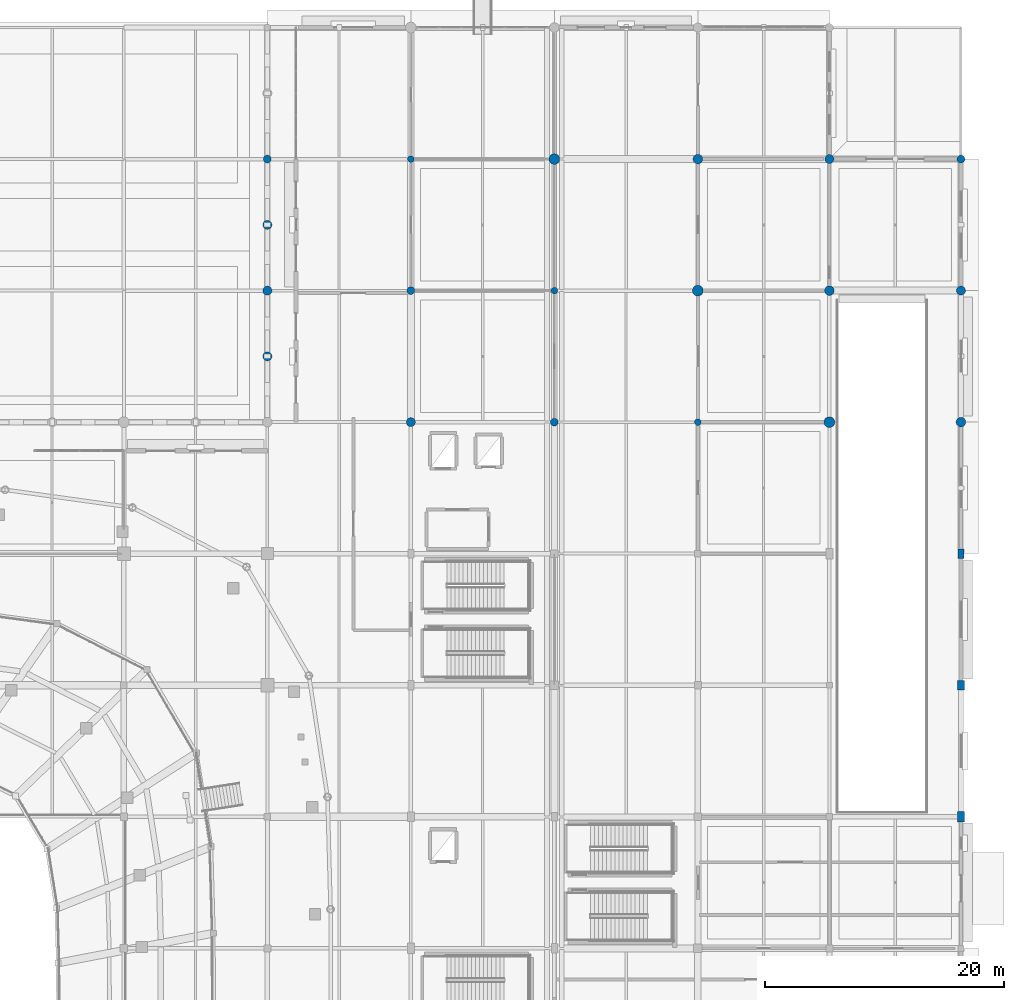
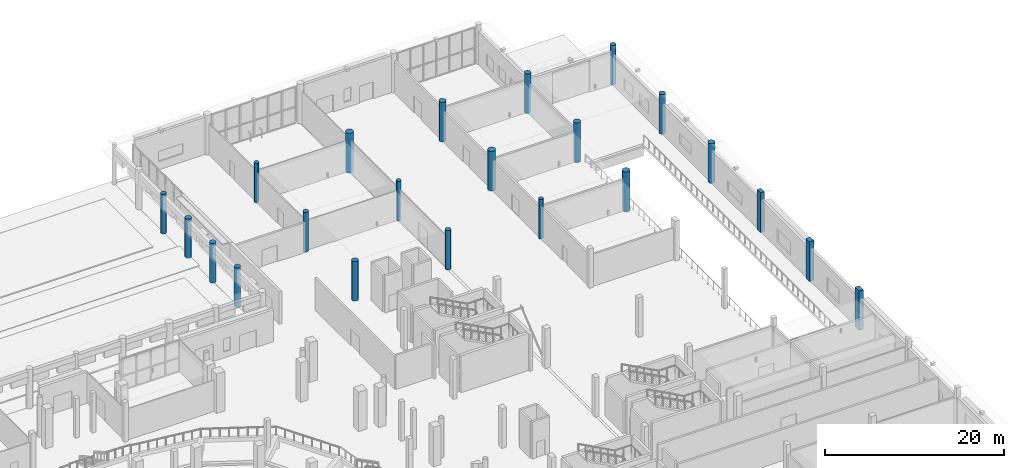
# One storey, part 14 of 120: 22 columns.
"""IFC4 building model written with IfcOpenShell, lengths in metres."""

from ifc_helpers import new_model, si_unit, direction, frame, origin, origin_2d, place, context, subcontext, project, spatial, rectangle, circle, extrude, material, material_profile, profile_set, type_object, element, save


model = new_model("IFC4")

# Units and contexts
model_context = context("Model", 3, precision=1e-05, world=origin(), true_north=direction((0.0, 1.0)))
body_context = subcontext(model_context, "Body", "Model", "MODEL_VIEW")
ifc_project = project(units=[si_unit("LENGTHUNIT", "METRE"), si_unit("AREAUNIT", "SQUARE_METRE"), si_unit("VOLUMEUNIT", "CUBIC_METRE"), si_unit("PLANEANGLEUNIT", "RADIAN"), si_unit("MASSUNIT", "GRAM", prefix="KILO")], contexts=[model_context])

# Site, building, storey
site_placement = place(None, origin())
site = spatial("IfcSite", under=ifc_project, at=site_placement, CompositionType="ELEMENT")
building_placement = place(site_placement, origin())
building = spatial("IfcBuilding", under=site, at=building_placement, Name="Luwafu Chhajja Arena", CompositionType="ELEMENT")
storey_placement = place(building_placement, origin())
storey = spatial("IfcBuildingStorey", under=building, at=storey_placement, Name="L00", CompositionType="ELEMENT", Elevation=0.0)

# Columns
ifc_material_1 = material(Name="Concrete C35/45", Category="concrete")
ifc_material_profile_1 = material_profile(ifc_material_1, rectangle(XDim=0.5, YDim=0.800048828125, at=origin_2d()), Name="RC 500x800")
ifc_profile_set_1 = profile_set([ifc_material_profile_1], Name="Concrete C35/45")
column_type_1 = type_object("IfcColumnType", Name="BOH Frame Column RC 500x800", PredefinedType="COLUMN", material=ifc_profile_set_1)
column_1_placement = place(storey_placement, frame((198.0, 88.0, 0.0), z_axis=(0.0, 0.0, 1.0), x_axis=(1.0, 0.0, 0.0)))
element("IfcColumn", 1, at=column_1_placement, inside=storey, type_object=column_type_1, Name="L00 Grid Column 18/J", PredefinedType="COLUMN", context=body_context, shape_type="SweptSolid", body=[
    extrude(rectangle(XDim=0.5, YDim=0.800048828125, at=origin_2d()), origin(), (0.0, 0.0, 1.0), 5.39990234375),
])
ifc_material_profile_2 = material_profile(ifc_material_1, circle(Radius=0.375, at=origin_2d()), Name="RC COL D750")
ifc_profile_set_2 = profile_set([ifc_material_profile_2], Name="Concrete C35/45")
column_type_2 = type_object("IfcColumnType", Name="Charbagh Cloister Pier D750", PredefinedType="COLUMN", material=ifc_profile_set_2)
for number, where, z_axis, x_axis, name in (
    (2, (140.0, 110.0, 0.0), (0.0, 0.0, 1.0), (1.0, 0.0, 0.0), "L00 Grid Column 13/L"),
    (3, (152.0, 99.0, 0.0), (0.0, 0.0, 1.0), (1.0, 0.0, 0.0), "L00 Grid Column 14/K"),
    (4, (187.0, 121.0, 0.0), (0.0, 0.0, 1.0), (1.0, 0.0, 0.0), "L00 Grid Column 17/M"),
    (5, (198.0, 110.0, 0.0), (0.0, 0.0, 1.0), (1.0, 0.0, 0.0), "L00 Grid Column 18/L"),
    (6, (140.0, 104.5, 0.0), (0.0, 0.0, 1.0), (1.0, 0.0, 0.0), "L00 Mughal Riwaq Colonnade Pier CHE09"),
    (7, (140.0, 115.5, 0.0), (0.0, 0.0, 1.0), (1.0, 0.0, 0.0), "L00 Mughal Riwaq Colonnade Pier CHE10"),
):
    element("IfcColumn", number, at=place(storey_placement, frame(where, z_axis=z_axis, x_axis=x_axis)), inside=storey, type_object=column_type_2, Name=name, PredefinedType="COLUMN", context=body_context, shape_type="SweptSolid", body=[
        extrude(circle(Radius=0.375, at=origin_2d()), origin(), (0.0, 0.0, 1.0), 5.39990234375),
    ])
ifc_material_profile_3 = material_profile(ifc_material_1, circle(Radius=0.324951171875, at=origin_2d()), Name="RC COL D650")
ifc_profile_set_3 = profile_set([ifc_material_profile_3], Name="Concrete C35/45")
column_type_3 = type_object("IfcColumnType", Name="Courtyard Arcade Pier D650", PredefinedType="COLUMN", material=ifc_profile_set_3)
for number, where, z_axis, x_axis, name in (
    (8, (140.0, 121.0, 0.0), (0.0, 0.0, 1.0), (1.0, 0.0, 0.0), "L00 Grid Column 13/M"),
    (9, (152.0, 110.0, 0.0), (0.0, 0.0, 1.0), (1.0, 0.0, 0.0), "L00 Grid Column 14/L"),
    (10, (164.0, 99.0, 0.0), (0.0, 0.0, 1.0), (1.0, 0.0, 0.0), "L00 Grid Column 15/K"),
    (11, (198.0, 121.0, 0.0), (0.0, 0.0, 1.0), (1.0, 0.0, 0.0), "L00 Grid Column 18/M"),
):
    element("IfcColumn", number, at=place(storey_placement, frame(where, z_axis=z_axis, x_axis=x_axis)), inside=storey, type_object=column_type_3, Name=name, PredefinedType="COLUMN", context=body_context, shape_type="SweptSolid", body=[
        extrude(circle(Radius=0.324951171875, at=origin_2d()), origin(), (0.0, 0.0, 1.0), 5.39990234375),
    ])
ifc_material_2 = material(Name="Concrete C40/50", Category="concrete")
ifc_material_profile_4 = material_profile(ifc_material_2, circle(Radius=0.39990234375, at=origin_2d()), Name="RC COL D800")
ifc_profile_set_4 = profile_set([ifc_material_profile_4], Name="Concrete C40/50")
column_type_4 = type_object("IfcColumnType", Name="Foyer Rotunda Pier D800", PredefinedType="COLUMN", material=ifc_profile_set_4)
for number, where, z_axis, x_axis, name in (
    (12, (176.0, 121.0, 0.0), (0.0, 0.0, 1.0), (1.0, 0.0, 0.0), "L00 Grid Column 16/M"),
    (13, (187.0, 110.0, 0.0), (0.0, 0.0, 1.0), (1.0, 0.0, 0.0), "L00 Grid Column 17/L"),
    (14, (198.0, 99.0, 0.0), (0.0, 0.0, 1.0), (1.0, 0.0, 0.0), "L00 Grid Column 18/K"),
):
    element("IfcColumn", number, at=place(storey_placement, frame(where, z_axis=z_axis, x_axis=x_axis)), inside=storey, type_object=column_type_4, Name=name, PredefinedType="COLUMN", context=body_context, shape_type="SweptSolid", body=[
        extrude(circle(Radius=0.39990234375, at=origin_2d()), origin(), (0.0, 0.0, 1.0), 5.39990234375),
    ])
ifc_material_profile_5 = material_profile(ifc_material_2, circle(Radius=0.449951171875, at=origin_2d()), Name="RC COL D900")
ifc_profile_set_5 = profile_set([ifc_material_profile_5], Name="Concrete C40/50")
column_type_5 = type_object("IfcColumnType", Name="Mughal Colonnade Drum Pier D900", PredefinedType="COLUMN", material=ifc_profile_set_5)
for number, where, z_axis, x_axis, name in (
    (15, (164.0, 121.0, 0.0), (0.0, 0.0, 1.0), (1.0, 0.0, 0.0), "L00 Grid Column 15/M"),
    (16, (176.0, 110.0, 0.0), (0.0, 0.0, 1.0), (1.0, 0.0, 0.0), "L00 Grid Column 16/L"),
    (17, (187.0, 99.0, 0.0), (0.0, 0.0, 1.0), (1.0, 0.0, 0.0), "L00 Grid Column 17/K"),
):
    element("IfcColumn", number, at=place(storey_placement, frame(where, z_axis=z_axis, x_axis=x_axis)), inside=storey, type_object=column_type_5, Name=name, PredefinedType="COLUMN", context=body_context, shape_type="SweptSolid", body=[
        extrude(circle(Radius=0.449951171875, at=origin_2d()), origin(), (0.0, 0.0, 1.0), 5.39990234375),
    ])
ifc_material_profile_6 = material_profile(ifc_material_2, rectangle(XDim=0.60009765625, YDim=0.800048828125, at=origin_2d()), Name="RC 600x800")
ifc_profile_set_6 = profile_set([ifc_material_profile_6], Name="Concrete C40/50")
column_type_6 = type_object("IfcColumnType", Name="Pishtaq Pier Column RC 600x800", PredefinedType="COLUMN", material=ifc_profile_set_6)
column_2_placement = place(storey_placement, frame((198.0, 77.0, 0.0), z_axis=(0.0, 0.0, 1.0), x_axis=(1.0, 0.0, 0.0)))
element("IfcColumn", 18, at=column_2_placement, inside=storey, type_object=column_type_6, Name="L00 Grid Column 18/H", PredefinedType="COLUMN", context=body_context, shape_type="SweptSolid", body=[
    extrude(rectangle(XDim=0.60009765625, YDim=0.800048828125, at=origin_2d()), origin(), (0.0, 0.0, 1.0), 5.39990234375),
])
ifc_material_profile_7 = material_profile(ifc_material_1, circle(Radius=0.27490234375, at=origin_2d()), Name="RC COL D550")
ifc_profile_set_7 = profile_set([ifc_material_profile_7], Name="Concrete C35/45")
column_type_7 = type_object("IfcColumnType", Name="Terrace Loggia Pier D550", PredefinedType="COLUMN", material=ifc_profile_set_7)
for number, where, z_axis, x_axis, name in (
    (19, (152.0, 121.0, 0.0), (0.0, 0.0, 1.0), (1.0, 0.0, 0.0), "L00 Grid Column 14/M"),
    (20, (164.0, 110.0, 0.0), (0.0, 0.0, 1.0), (1.0, 0.0, 0.0), "L00 Grid Column 15/L"),
    (21, (176.0, 99.0, 0.0), (0.0, 0.0, 1.0), (1.0, 0.0, 0.0), "L00 Grid Column 16/K"),
):
    element("IfcColumn", number, at=place(storey_placement, frame(where, z_axis=z_axis, x_axis=x_axis)), inside=storey, type_object=column_type_7, Name=name, PredefinedType="COLUMN", context=body_context, shape_type="SweptSolid", body=[
        extrude(circle(Radius=0.27490234375, at=origin_2d()), origin(), (0.0, 0.0, 1.0), 5.39990234375),
    ])
ifc_material_profile_8 = material_profile(ifc_material_2, rectangle(XDim=0.60009765625, YDim=0.89990234375, at=origin_2d()), Name="RC 600x900")
ifc_profile_set_8 = profile_set([ifc_material_profile_8], Name="Concrete C40/50")
column_type_8 = type_object("IfcColumnType", Name="Warm-Up Hall Portal Column RC 600x900", PredefinedType="COLUMN", material=ifc_profile_set_8)
column_3_placement = place(storey_placement, frame((198.0, 66.0, 0.0), z_axis=(0.0, 0.0, 1.0), x_axis=(1.0, 0.0, 0.0)))
element("IfcColumn", 22, at=column_3_placement, inside=storey, type_object=column_type_8, Name="L00 Grid Column 18/G", PredefinedType="COLUMN", context=body_context, shape_type="SweptSolid", body=[
    extrude(rectangle(XDim=0.60009765625, YDim=0.89990234375, at=origin_2d()), origin(), (0.0, 0.0, 1.0), 5.39990234375),
])

save(model, "model.ifc")
